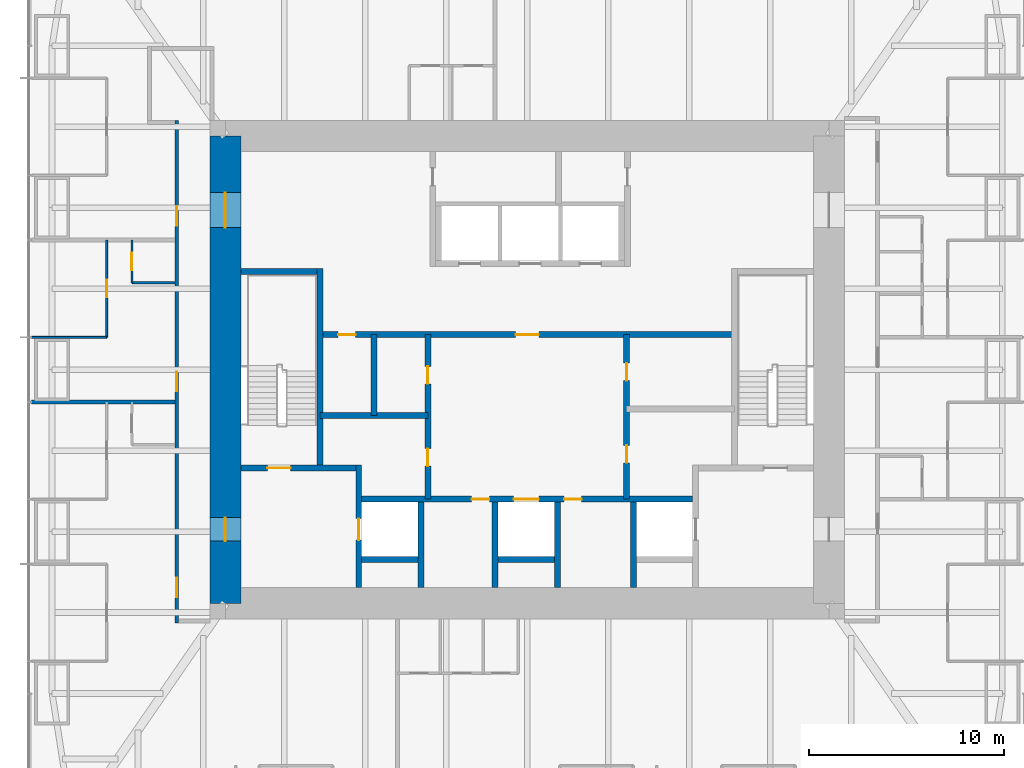
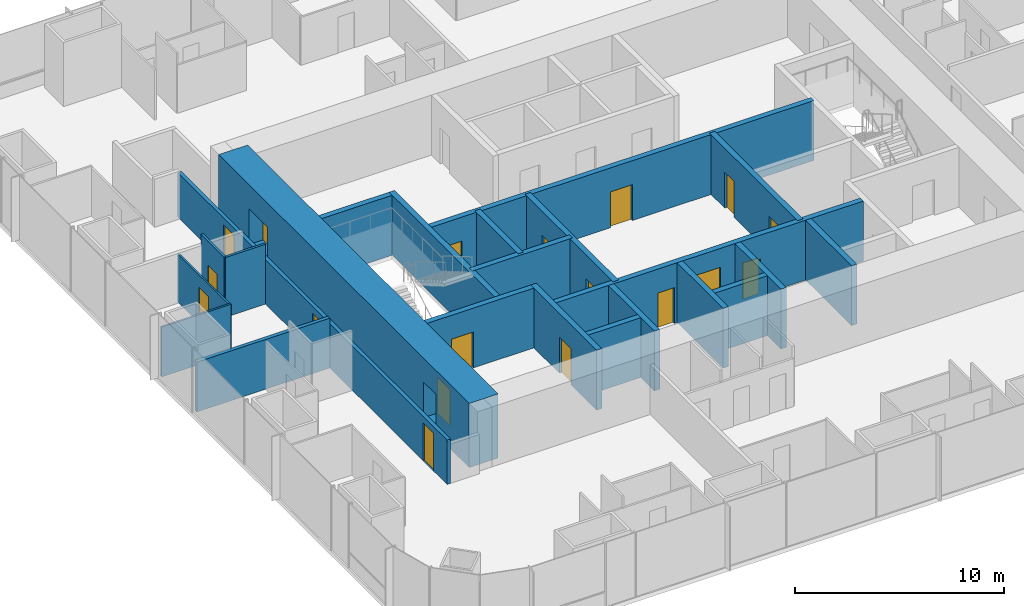
# One storey, part 9 of 13: 23 walls, 18 doors, 18 openings.
"""IFC4 building model written with IfcOpenShell, lengths in metres."""

import ifcopenshell
import ifcopenshell.guid

model = None  # the IFC model being written
_history = None  # IfcOwnerHistory: only IFC2X3 demands one
_inside = {}  # id of a spatial element -> (the spatial element, [elements in it])
_under = {}  # id of a project, library or spatial element -> (it, [spatial elements below it])
_declared = {}  # id of a project -> (the project, [libraries it declares])
_typed = {}  # id of a type object -> (the type object, [elements of that type])
_made_of = {}  # id of a material, layer set ... -> (it, [elements and type objects made of it])


def new_model(schema):
    """Start an empty IFC model of exactly this schema.

    Asked for "IFC4X3", IfcOpenShell would pick the latest addendum, in which some entities
    have other attributes; the version numbers below select the first issue.
    IFC2X3 requires an IfcOwnerHistory on every rooted entity: one is made here for all.
    """
    global model, _history
    if schema == "IFC4X3":
        model = ifcopenshell.file(schema_version=(4, 3, 0, 0))
    else:
        model = ifcopenshell.file(schema=schema)
    _inside.clear()
    _under.clear()
    _declared.clear()
    _typed.clear()
    _made_of.clear()
    _history = None
    if model.schema == "IFC2X3":
        org = make("IfcOrganization", Name="unknown")
        user = make(
            "IfcPersonAndOrganization",
            ThePerson=make("IfcPerson", FamilyName="unknown"),
            TheOrganization=org,
        )
        app = make(
            "IfcApplication",
            ApplicationDeveloper=org,
            Version="unknown",
            ApplicationFullName="unknown",
            ApplicationIdentifier="unknown",
        )
        _history = make(
            "IfcOwnerHistory",
            OwningUser=user,
            OwningApplication=app,
            ChangeAction="ADDED",
            CreationDate=0,
        )
    return model


def make(cls, **values):
    """One entity of the class cls with the attributes given. An attribute that is None is left unset."""
    return model.create_entity(
        cls, **{name: value for name, value in values.items() if value is not None}
    )


def rooted(cls, **values):
    """An entity with a GlobalId (a new one), such as an element, a storey or a relation."""
    return make(cls, GlobalId=ifcopenshell.guid.new(), OwnerHistory=_history, **values)


def si_unit(unit_type, name, prefix=None):
    """IfcSIUnit, for example si_unit("LENGTHUNIT", "METRE", prefix="MILLI")."""
    return make("IfcSIUnit", UnitType=unit_type, Prefix=prefix, Name=name)


def assignment(units):
    """IfcUnitAssignment: the units of a project."""
    return None if units is None else make("IfcUnitAssignment", Units=units)


def point(xyz):
    """IfcCartesianPoint."""
    return None if xyz is None else make("IfcCartesianPoint", Coordinates=xyz)


def direction(xyz):
    """IfcDirection."""
    return None if xyz is None else make("IfcDirection", DirectionRatios=xyz)


def frame(location, z_axis=None, x_axis=None):
    """IfcAxis2Placement3D, a coordinate frame: its origin and axes. An axis left out is left unset."""
    return make(
        "IfcAxis2Placement3D",
        Location=point(location),
        Axis=direction(z_axis),
        RefDirection=direction(x_axis),
    )


def frame_2d(location, x_axis=None):
    """IfcAxis2Placement2D, a coordinate frame in the plane: its origin and x axis."""
    return make(
        "IfcAxis2Placement2D", Location=point(location), RefDirection=direction(x_axis)
    )


def origin():
    """The frame at (0, 0, 0) with its axes left unset."""
    return frame((0.0, 0.0, 0.0))


def place(relative_to, where):
    """IfcLocalPlacement: puts the frame where relative to a parent placement (None: the world)."""
    return make(
        "IfcLocalPlacement", PlacementRelTo=relative_to, RelativePlacement=where
    )


def context(
    kind, dimensions, precision=None, world=None, true_north=None, identifier=None
):
    """IfcGeometricRepresentationContext, for example the 3D "Model" context."""
    return make(
        "IfcGeometricRepresentationContext",
        ContextIdentifier=identifier,
        ContextType=kind,
        CoordinateSpaceDimension=dimensions,
        Precision=precision,
        WorldCoordinateSystem=world,
        TrueNorth=true_north,
    )


def subcontext(parent, identifier, kind, view, scale=None):
    """IfcGeometricRepresentationSubContext, for example "Body" below "Model"."""
    return make(
        "IfcGeometricRepresentationSubContext",
        ContextIdentifier=identifier,
        ContextType=kind,
        ParentContext=parent,
        TargetScale=scale,
        TargetView=view,
    )


def project(units=None, contexts=None):
    """IfcProject with its units and contexts."""
    return rooted(
        "IfcProject",
        Name="project",
        RepresentationContexts=contexts,
        UnitsInContext=assignment(units),
    )


def spatial(cls, under=None, at=None, **own):
    """A site, building, storey or space (cls), placed at a placement, below another one or the project."""
    s = rooted(cls, ObjectPlacement=at, **own)
    if under is not None:
        _under.setdefault(under.id(), (under, []))[1].append(s)
    return s


def profile(cls, at=None, kind="AREA", **sizes):
    """A parametric profile (cls). Its sizes go by their IFC names, for example OverallWidth=200.0."""
    return make(cls, ProfileType=kind, Position=at, **sizes)


def rectangle(**sizes):
    """IfcRectangleProfileDef."""
    return profile("IfcRectangleProfileDef", **sizes)


def extrude(swept, where, along, depth):
    """IfcExtrudedAreaSolid: the profile swept, set in the frame where, extruded along a direction by depth."""
    return make(
        "IfcExtrudedAreaSolid",
        SweptArea=swept,
        Position=where,
        ExtrudedDirection=direction(along),
        Depth=depth,
    )


def shape(context_of_items, identifier, shape_type, items):
    """IfcShapeRepresentation: the items that make up one representation, for example the "Body"."""
    return make(
        "IfcShapeRepresentation",
        ContextOfItems=context_of_items,
        RepresentationIdentifier=identifier,
        RepresentationType=shape_type,
        Items=items,
    )


def material(Name=None, Category=None):
    """IfcMaterial."""
    return make("IfcMaterial", Name=Name, Category=Category)


def layer(
    of_material, thickness, ventilated=None, Name=None, Category=None, Priority=None
):
    """IfcMaterialLayer: one layer of a wall or slab, of a material (None: an air gap)."""
    return make(
        "IfcMaterialLayer",
        Material=of_material,
        LayerThickness=thickness,
        IsVentilated=ventilated,
        Name=Name,
        Category=Category,
        Priority=Priority,
    )


def layer_set(layers, Name=None):
    """IfcMaterialLayerSet."""
    return make("IfcMaterialLayerSet", MaterialLayers=layers, LayerSetName=Name)


def made_of(thing, what):
    """Note that an element or type object is made of a material, layer set ...; save() writes the relation."""
    if what is not None:
        _made_of.setdefault(what.id(), (what, []))[1].append(thing)
    return thing


def type_object(cls, material=None, **own):
    """A type object (cls), such as IfcWallType, which elements share."""
    return made_of(rooted(cls, **own), material)


def element(
    cls,
    number,
    at=None,
    inside=None,
    cuts=None,
    type_object=None,
    material=None,
    context=None,
    identifier="Body",
    shape_type=None,
    held_by="IfcProductDefinitionShape",
    body=None,
    shapes=None,
    **own,
):
    """One element of the class cls, such as IfcWall. Its Tag is "e" and its number.

    at: its placement. inside: the storey or other place that contains it. cuts: it is an
    opening in that element (IfcRelVoidsElement). A single representation is given by context,
    identifier, shape_type and body (its items); several are given by shapes. held_by: the class
    of the entity that holds the representations. save() writes the other relations.
    """
    e = rooted(cls, Tag="e%d" % number, ObjectPlacement=at, **own)
    if body is not None:
        shapes = [shape(context, identifier, shape_type, body)]
    if shapes is not None:
        e.Representation = make(held_by, Representations=shapes)
    if inside is not None:
        _inside.setdefault(inside.id(), (inside, []))[1].append(e)
    if cuts is not None:
        rooted(
            "IfcRelVoidsElement", RelatingBuildingElement=cuts, RelatedOpeningElement=e
        )
    if type_object is not None:
        _typed.setdefault(type_object.id(), (type_object, []))[1].append(e)
    return made_of(e, material)


def fill(opening, filler):
    """IfcRelFillsElement: the door or window that sits in an opening."""
    return rooted(
        "IfcRelFillsElement",
        RelatingOpeningElement=opening,
        RelatedBuildingElement=filler,
    )


def aggregate(whole, parts):
    """IfcRelAggregates: a whole, such as a stair, and the parts it consists of."""
    return rooted("IfcRelAggregates", RelatingObject=whole, RelatedObjects=parts)


def save(model, path):
    """Write the relations noted so far, then the file.

    IfcRelAggregates (storeys below a building ...), IfcRelContainedInSpatialStructure (elements
    in a storey), IfcRelDefinesByType, IfcRelAssociatesMaterial and IfcRelDeclares: one each for
    every whole, place, type object, material and project.
    """
    for whole, parts in _under.values():
        aggregate(whole, parts)
    for where, things in _inside.values():
        rooted(
            "IfcRelContainedInSpatialStructure",
            RelatedElements=things,
            RelatingStructure=where,
        )
    for kind, things in _typed.values():
        rooted("IfcRelDefinesByType", RelatedObjects=things, RelatingType=kind)
    for what, things in _made_of.values():
        rooted("IfcRelAssociatesMaterial", RelatedObjects=things, RelatingMaterial=what)
    for by, libraries in _declared.values():
        rooted("IfcRelDeclares", RelatingContext=by, RelatedDefinitions=libraries)
    model.write(path)


model = new_model("IFC4")

# Units and contexts
model_context = context("Model", 3, precision=1e-05, world=origin(), true_north=direction((0.0, 1.0)))
body_context = subcontext(model_context, "Body", "Model", "MODEL_VIEW")
ifc_project = project(units=[si_unit("LENGTHUNIT", "METRE"), si_unit("AREAUNIT", "SQUARE_METRE"), si_unit("VOLUMEUNIT", "CUBIC_METRE"), si_unit("PLANEANGLEUNIT", "RADIAN"), si_unit("MASSUNIT", "GRAM", prefix="KILO")], contexts=[model_context])

# Site, building, storey
site_placement = place(None, origin())
site = spatial("IfcSite", under=ifc_project, at=site_placement, CompositionType="ELEMENT")
building_placement = place(site_placement, origin())
building = spatial("IfcBuilding", under=site, at=building_placement, Name="Khuree Lantern Residences", CompositionType="ELEMENT")
storey_placement = place(building_placement, frame((0.0, 0.0, 263.25)))
storey = spatial("IfcBuildingStorey", under=building, at=storey_placement, Name="L66", CompositionType="ELEMENT", Elevation=263.25)

# Wall, opening, door
ifc_material_1 = material(Name="Moisture-resistant gypsum board on steel studs", Category="steel")
ifc_layer_1 = layer(ifc_material_1, 0.125)
ifc_layer_set_1 = layer_set([ifc_layer_1], Name="BATHROOM WALL BTW125")
wall_type_1 = type_object("IfcWallType", Name="BATHROOM WALL BTW125", PredefinedType="PARTITIONING", material=ifc_layer_set_1)
wall_1_placement = place(storey_placement, frame((-20.300048828125, 6.656005859375, 0.0), z_axis=(0.0, 0.0, 1.0), x_axis=(0.0, -1.0, 0.0)))
wall_1 = element("IfcWall", 1, at=wall_1_placement, inside=storey, type_object=wall_type_1, Name="L66 BATHROOM WALL 04", PredefinedType="PARTITIONING", context=body_context, shape_type="SweptSolid", body=[
    extrude(rectangle(XDim=2.199951171875, YDim=0.125, at=frame_2d((1.10009765625, 0.0))), origin(), (0.0, 0.0, 1.0), 3.5),
])
opening_1_placement = place(wall_1_placement, frame((0.64990234375, 0.0, 0.0)))
opening_1 = element("IfcOpeningElement", 2, at=opening_1_placement, cuts=wall_1, Name="Opening 66-044", PredefinedType="OPENING", context=body_context, shape_type="SweptSolid", body=[
    extrude(rectangle(XDim=0.89990234375, YDim=2.10009765625, at=frame_2d((0.449951171875, 1.050048828125))), frame((0.0, 0.072509765625, 0.0), z_axis=(0.0, -1.0, 0.0), x_axis=(1.0, 0.0, 0.0)), (0.0, 0.0, 1.0), 0.14501953125),
])
ifc_material_2 = material(Name="Timber door leaf in hardwood frame", Category="wood")
door_type_1 = type_object("IfcDoorType", Name="BATHROOM DOOR 900X2100", OperationType="SINGLE_SWING_LEFT", PredefinedType="DOOR", material=ifc_material_2)
door_1_placement = place(opening_1_placement, origin())
door_1 = element("IfcDoor", 3, at=door_1_placement, inside=storey, type_object=door_type_1, Name="Bathroom door 66-044", OperationType="SINGLE_SWING_LEFT", OverallHeight=2.10009765625, OverallWidth=0.89990234375, PredefinedType="DOOR", context=body_context, shape_type="SweptSolid", body=[
    extrude(rectangle(XDim=0.89990234375, YDim=2.10009765625, at=frame_2d((0.449951171875, 1.050048828125))), frame((0.0, 0.02490234375, 0.0), z_axis=(0.0, -1.0, 0.0), x_axis=(1.0, 0.0, 0.0)), (0.0, 0.0, 1.0), 0.050048828125),
])
fill(opening_1, door_1)

# Wall
wall_2_placement = place(storey_placement, frame((-18.10009765625, 4.4560546875, 0.0), z_axis=(0.0, 0.0, 1.0), x_axis=(-1.0, 0.0, 0.0)))
element("IfcWall", 4, at=wall_2_placement, inside=storey, type_object=wall_type_1, Name="L66 BATHROOM WALL 04", PredefinedType="PARTITIONING", context=body_context, shape_type="SweptSolid", body=[
    extrude(rectangle(XDim=2.199951171875, YDim=0.125, at=frame_2d((1.10009765625, 0.0))), origin(), (0.0, 0.0, 1.0), 3.5),
])

# Wall, opening, door
ifc_material_3 = material(Name="Dense concrete blockwork", Category="masonry")
ifc_layer_2 = layer(ifc_material_3, 0.300048828125)
ifc_layer_set_2 = layer_set([ifc_layer_2], Name="CORE PARTITION WALL CPW300 EI 120")
wall_type_2 = type_object("IfcWallType", Name="CORE PARTITION WALL CPW300 EI 120", PredefinedType="PARTITIONING", material=ifc_layer_set_2)
wall_3_placement = place(storey_placement, frame((-8.64990234375, -11.199951171875, 0.0), z_axis=(0.0, 0.0, 1.0), x_axis=(0.0, 1.0, 0.0)))
wall_3 = element("IfcWall", 5, at=wall_3_placement, inside=storey, type_object=wall_type_2, Name="L66 CORE WALL FL1W", PredefinedType="PARTITIONING", context=body_context, shape_type="SweptSolid", body=[
    extrude(rectangle(XDim=6.300048828125, YDim=0.300048828125, at=frame_2d((3.14990234375, 0.0))), origin(), (0.0, 0.0, 1.0), 3.5),
])
opening_2_placement = place(wall_3_placement, frame((2.449951171875, 0.0, 0.0)))
opening_2 = element("IfcOpeningElement", 6, at=opening_2_placement, cuts=wall_3, Name="Opening 66-007", PredefinedType="OPENING", context=body_context, shape_type="SweptSolid", body=[
    extrude(rectangle(XDim=1.10009765625, YDim=2.10009765625, at=frame_2d((0.550048828125, 1.050048828125))), frame((0.0, 0.16015625, 0.0), z_axis=(0.0, -1.0, 0.0), x_axis=(1.0, 0.0, 0.0)), (0.0, 0.0, 1.0), 0.320068359375),
])
ifc_material_4 = material(Name="Stainless steel lift landing door", Category="steel")
door_type_2 = type_object("IfcDoorType", Name="LIFT LANDING DOOR 1100X2100 E 120", OperationType="DOUBLE_DOOR_SLIDING", PredefinedType="DOOR", material=ifc_material_4)
door_2_placement = place(opening_2_placement, origin())
door_2 = element("IfcDoor", 7, at=door_2_placement, inside=storey, type_object=door_type_2, Name="Landing door FL1 66-007", OperationType="DOUBLE_DOOR_SLIDING", OverallHeight=2.10009765625, OverallWidth=1.10009765625, PredefinedType="DOOR", context=body_context, shape_type="SweptSolid", body=[
    extrude(rectangle(XDim=1.10009765625, YDim=2.10009765625, at=frame_2d((0.550048828125, 1.050048828125))), frame((0.0, 0.02490234375, 0.0), z_axis=(0.0, -1.0, 0.0), x_axis=(1.0, 0.0, 0.0)), (0.0, 0.0, 1.0), 0.050048828125),
])
fill(opening_2, door_2)

# Wall, openings, doors
wall_4_placement = place(storey_placement, frame((-8.5, -6.64990234375, 0.0), z_axis=(0.0, 0.0, 1.0), x_axis=(1.0, 0.0, 0.0)))
wall_4 = element("IfcWall", 8, at=wall_4_placement, inside=storey, type_object=wall_type_2, Name="L66 CORE WALL FLROW", PredefinedType="PARTITIONING", context=body_context, shape_type="SweptSolid", body=[
    extrude(rectangle(XDim=17.0, YDim=0.300048828125, at=frame_2d((8.5, 0.0))), origin(), (0.0, 0.0, 1.0), 3.5),
])
opening_3_placement = place(wall_4_placement, frame((7.800048828125, 0.0, 0.0)))
opening_3 = element("IfcOpeningElement", 9, at=opening_3_placement, cuts=wall_4, Name="Opening 66-012", PredefinedType="OPENING", context=body_context, shape_type="SweptSolid", body=[
    extrude(rectangle(XDim=1.300048828125, YDim=2.39990234375, at=frame_2d((0.64990234375, 1.199951171875))), frame((0.0, 0.16015625, 0.0), z_axis=(0.0, -1.0, 0.0), x_axis=(1.0, 0.0, 0.0)), (0.0, 0.0, 1.0), 0.320068359375),
])
opening_4_placement = place(wall_4_placement, frame((5.64990234375, 0.0, 0.0)))
opening_4 = element("IfcOpeningElement", 10, at=opening_4_placement, cuts=wall_4, Name="Opening 66-014", PredefinedType="OPENING", context=body_context, shape_type="SweptSolid", body=[
    extrude(rectangle(XDim=0.89990234375, YDim=2.10009765625, at=frame_2d((0.449951171875, 1.050048828125))), frame((0.0, 0.16015625, 0.0), z_axis=(0.0, -1.0, 0.0), x_axis=(1.0, 0.0, 0.0)), (0.0, 0.0, 1.0), 0.320068359375),
])
opening_5_placement = place(wall_4_placement, frame((10.39990234375, 0.0, 0.0)))
opening_5 = element("IfcOpeningElement", 11, at=opening_5_placement, cuts=wall_4, Name="Opening 66-015", PredefinedType="OPENING", context=body_context, shape_type="SweptSolid", body=[
    extrude(rectangle(XDim=0.89990234375, YDim=2.10009765625, at=frame_2d((0.449951171875, 1.050048828125))), frame((0.0, 0.16015625, 0.0), z_axis=(0.0, -1.0, 0.0), x_axis=(1.0, 0.0, 0.0)), (0.0, 0.0, 1.0), 0.320068359375),
])
ifc_material_5 = material(Name="Steel door leaf in steel frame", Category="steel")
door_type_3 = type_object("IfcDoorType", Name="DOOR 900X2100 EI 60", OperationType="SINGLE_SWING_LEFT", PredefinedType="DOOR", material=ifc_material_5)
door_3_placement = place(opening_4_placement, origin())
door_3 = element("IfcDoor", 12, at=door_3_placement, inside=storey, type_object=door_type_3, Name="Refuse chute room door 66-014", OperationType="SINGLE_SWING_LEFT", OverallHeight=2.10009765625, OverallWidth=0.89990234375, PredefinedType="DOOR", context=body_context, shape_type="SweptSolid", body=[
    extrude(rectangle(XDim=0.89990234375, YDim=2.10009765625, at=frame_2d((0.449951171875, 1.050048828125))), frame((0.0, 0.02490234375, 0.0), z_axis=(0.0, -1.0, 0.0), x_axis=(1.0, 0.0, 0.0)), (0.0, 0.0, 1.0), 0.050048828125),
])
fill(opening_4, door_3)
door_type_4 = type_object("IfcDoorType", Name="DOOR 900X2100 EI 60 RIGHT HAND", OperationType="SINGLE_SWING_RIGHT", PredefinedType="DOOR", material=ifc_material_5)
door_4_placement = place(opening_5_placement, origin())
door_4 = element("IfcDoor", 13, at=door_4_placement, inside=storey, type_object=door_type_4, Name="Electrical and plumbing riser door 66-015", OperationType="SINGLE_SWING_RIGHT", OverallHeight=2.10009765625, OverallWidth=0.89990234375, PredefinedType="DOOR", context=body_context, shape_type="SweptSolid", body=[
    extrude(rectangle(XDim=0.89990234375, YDim=2.10009765625, at=frame_2d((0.449951171875, 1.050048828125))), frame((0.0, 0.02490234375, 0.0), z_axis=(0.0, -1.0, 0.0), x_axis=(1.0, 0.0, 0.0)), (0.0, 0.0, 1.0), 0.050048828125),
])
fill(opening_5, door_4)
door_type_5 = type_object("IfcDoorType", Name="LIFT LANDING DOOR 1300X2400 E 60", OperationType="DOUBLE_DOOR_SLIDING", PredefinedType="DOOR", material=ifc_material_4)
door_5_placement = place(opening_3_placement, origin())
door_5 = element("IfcDoor", 14, at=door_5_placement, inside=storey, type_object=door_type_5, Name="Landing door SL1 66-012", OperationType="DOUBLE_DOOR_SLIDING", OverallHeight=2.39990234375, OverallWidth=1.300048828125, PredefinedType="DOOR", context=body_context, shape_type="SweptSolid", body=[
    extrude(rectangle(XDim=1.300048828125, YDim=2.39990234375, at=frame_2d((0.64990234375, 1.199951171875))), frame((0.0, 0.02490234375, 0.0), z_axis=(0.0, -1.0, 0.0), x_axis=(1.0, 0.0, 0.0)), (0.0, 0.0, 1.0), 0.050048828125),
])
fill(opening_3, door_5)

# Walls
for number, where, z_axis, x_axis, name in (
    (15, (-5.449951171875, -11.199951171875, 0.0), (0.0, 0.0, 1.0), (0.0, 1.0, 0.0), "L66 CORE WALL FL1E"),
    (16, (-1.64990234375, -11.199951171875, 0.0), (0.0, 0.0, 1.0), (0.0, 1.0, 0.0), "L66 CORE WALL SL1W"),
    (17, (1.550048828125, -11.199951171875, 0.0), (0.0, 0.0, 1.0), (0.0, 1.0, 0.0), "L66 CORE WALL SL1E"),
    (18, (5.449951171875, -11.199951171875, 0.0), (0.0, 0.0, 1.0), (0.0, 1.0, 0.0), "L66 CORE WALL FL2W"),
):
    element("IfcWall", number, at=place(storey_placement, frame(where, z_axis=z_axis, x_axis=x_axis)), inside=storey, type_object=wall_type_2, Name=name, PredefinedType="PARTITIONING", context=body_context, shape_type="SweptSolid", body=[
        extrude(rectangle(XDim=4.39990234375, YDim=0.300048828125, at=frame_2d((2.199951171875, 0.0))), origin(), (0.0, 0.0, 1.0), 3.5),
    ])
for number, where, z_axis, x_axis, name in (
    (19, (-8.5, -9.75, 0.0), (0.0, 0.0, 1.0), (1.0, 0.0, 0.0), "L66 CORE WALL FL1S"),
    (20, (-1.5, -9.75, 0.0), (0.0, 0.0, 1.0), (1.0, 0.0, 0.0), "L66 CORE WALL SL1S"),
):
    element("IfcWall", number, at=place(storey_placement, frame(where, z_axis=z_axis, x_axis=x_axis)), inside=storey, type_object=wall_type_2, Name=name, PredefinedType="PARTITIONING", context=body_context, shape_type="SweptSolid", body=[
        extrude(rectangle(XDim=2.89990234375, YDim=0.300048828125, at=frame_2d((1.449951171875, 0.0))), origin(), (0.0, 0.0, 1.0), 3.5),
    ])

# Wall, openings, doors
wall_5_placement = place(storey_placement, frame((-10.64990234375, 1.800048828125, 0.0), z_axis=(0.0, 0.0, 1.0), x_axis=(1.0, 0.0, 0.0)))
wall_5 = element("IfcWall", 21, at=wall_5_placement, inside=storey, type_object=wall_type_2, Name="L66 CORE WALL LLS", PredefinedType="PARTITIONING", context=body_context, shape_type="SweptSolid", body=[
    extrude(rectangle(XDim=21.2998046875, YDim=0.300048828125, at=frame_2d((10.64990234375, 0.0))), origin(), (0.0, 0.0, 1.0), 3.5),
])
opening_6_placement = place(wall_5_placement, frame((10.050048828125, 0.0, 0.0)))
opening_6 = element("IfcOpeningElement", 22, at=opening_6_placement, cuts=wall_5, Name="Opening 66-013", PredefinedType="OPENING", context=body_context, shape_type="SweptSolid", body=[
    extrude(rectangle(XDim=1.199951171875, YDim=2.10009765625, at=frame_2d((0.60009765625, 1.050048828125))), frame((0.0, 0.16015625, 0.0), z_axis=(0.0, -1.0, 0.0), x_axis=(1.0, 0.0, 0.0)), (0.0, 0.0, 1.0), 0.320068359375),
])
opening_7_placement = place(wall_5_placement, frame((0.93798828125, 0.0, 0.0)))
opening_7 = element("IfcOpeningElement", 23, at=opening_7_placement, cuts=wall_5, Name="Opening 66-018", PredefinedType="OPENING", context=body_context, shape_type="SweptSolid", body=[
    extrude(rectangle(XDim=0.89990234375, YDim=2.10009765625, at=frame_2d((0.449951171875, 1.050048828125))), frame((0.0, 0.16015625, 0.0), z_axis=(0.0, -1.0, 0.0), x_axis=(1.0, 0.0, 0.0)), (0.0, 0.0, 1.0), 0.320068359375),
])
door_type_6 = type_object("IfcDoorType", Name="DOOR 1200X2100 EI 60", OperationType="SINGLE_SWING_LEFT", PredefinedType="DOOR", material=ifc_material_5)
door_6_placement = place(opening_6_placement, origin())
door_6 = element("IfcDoor", 24, at=door_6_placement, inside=storey, type_object=door_type_6, Name="Service lift lobby door 66-013", OperationType="SINGLE_SWING_LEFT", OverallHeight=2.10009765625, OverallWidth=1.199951171875, PredefinedType="DOOR", context=body_context, shape_type="SweptSolid", body=[
    extrude(rectangle(XDim=1.199951171875, YDim=2.10009765625, at=frame_2d((0.60009765625, 1.050048828125))), frame((0.0, 0.02490234375, 0.0), z_axis=(0.0, -1.0, 0.0), x_axis=(1.0, 0.0, 0.0)), (0.0, 0.0, 1.0), 0.050048828125),
])
fill(opening_6, door_6)
door_type_7 = type_object("IfcDoorType", Name="DOOR 900X2100", OperationType="SINGLE_SWING_LEFT", PredefinedType="DOOR", material=ifc_material_2)
door_7_placement = place(opening_7_placement, origin())
door_7 = element("IfcDoor", 25, at=door_7_placement, inside=storey, type_object=door_type_7, Name="Building management room door 66-018", OperationType="SINGLE_SWING_LEFT", OverallHeight=2.10009765625, OverallWidth=0.89990234375, PredefinedType="DOOR", context=body_context, shape_type="SweptSolid", body=[
    extrude(rectangle(XDim=0.89990234375, YDim=2.10009765625, at=frame_2d((0.449951171875, 1.050048828125))), frame((0.0, 0.02490234375, 0.0), z_axis=(0.0, -1.0, 0.0), x_axis=(1.0, 0.0, 0.0)), (0.0, 0.0, 1.0), 0.050048828125),
])
fill(opening_7, door_7)

wall_6_placement = place(storey_placement, frame((-5.10009765625, -6.64990234375, 0.0), z_axis=(0.0, 0.0, 1.0), x_axis=(0.0, 1.0, 0.0)))
wall_6 = element("IfcWall", 26, at=wall_6_placement, inside=storey, type_object=wall_type_2, Name="L66 CORE WALL SVW", PredefinedType="PARTITIONING", context=body_context, shape_type="SweptSolid", body=[
    extrude(rectangle(XDim=8.449951171875, YDim=0.300048828125, at=frame_2d((4.22509765625, 0.0))), origin(), (0.0, 0.0, 1.0), 3.5),
])
opening_8_placement = place(wall_6_placement, frame((1.699951171875, 0.0, 0.0)))
opening_8 = element("IfcOpeningElement", 27, at=opening_8_placement, cuts=wall_6, Name="Opening 66-016", PredefinedType="OPENING", context=body_context, shape_type="SweptSolid", body=[
    extrude(rectangle(XDim=0.89990234375, YDim=2.10009765625, at=frame_2d((0.449951171875, 1.050048828125))), frame((0.0, 0.16015625, 0.0), z_axis=(0.0, -1.0, 0.0), x_axis=(1.0, 0.0, 0.0)), (0.0, 0.0, 1.0), 0.320068359375),
])
opening_9_placement = place(wall_6_placement, frame((5.925048828125, 0.0, 0.0)))
opening_9 = element("IfcOpeningElement", 28, at=opening_9_placement, cuts=wall_6, Name="Opening 66-017", PredefinedType="OPENING", context=body_context, shape_type="SweptSolid", body=[
    extrude(rectangle(XDim=0.89990234375, YDim=2.10009765625, at=frame_2d((0.449951171875, 1.050048828125))), frame((0.0, 0.16015625, 0.0), z_axis=(0.0, -1.0, 0.0), x_axis=(1.0, 0.0, 0.0)), (0.0, 0.0, 1.0), 0.320068359375),
])
door_8_placement = place(opening_8_placement, origin())
door_8 = element("IfcDoor", 29, at=door_8_placement, inside=storey, type_object=door_type_7, Name="Parcel room door 66-016", OperationType="SINGLE_SWING_LEFT", OverallHeight=2.10009765625, OverallWidth=0.89990234375, PredefinedType="DOOR", context=body_context, shape_type="SweptSolid", body=[
    extrude(rectangle(XDim=0.89990234375, YDim=2.10009765625, at=frame_2d((0.449951171875, 1.050048828125))), frame((0.0, 0.02490234375, 0.0), z_axis=(0.0, -1.0, 0.0), x_axis=(1.0, 0.0, 0.0)), (0.0, 0.0, 1.0), 0.050048828125),
])
fill(opening_8, door_8)
door_9_placement = place(opening_9_placement, origin())
door_9 = element("IfcDoor", 30, at=door_9_placement, inside=storey, type_object=door_type_7, Name="Housekeeping store door 66-017", OperationType="SINGLE_SWING_LEFT", OverallHeight=2.10009765625, OverallWidth=0.89990234375, PredefinedType="DOOR", context=body_context, shape_type="SweptSolid", body=[
    extrude(rectangle(XDim=0.89990234375, YDim=2.10009765625, at=frame_2d((0.449951171875, 1.050048828125))), frame((0.0, 0.02490234375, 0.0), z_axis=(0.0, -1.0, 0.0), x_axis=(1.0, 0.0, 0.0)), (0.0, 0.0, 1.0), 0.050048828125),
])
fill(opening_9, door_9)

wall_7_placement = place(storey_placement, frame((5.10009765625, -6.64990234375, 0.0), z_axis=(0.0, 0.0, 1.0), x_axis=(0.0, 1.0, 0.0)))
wall_7 = element("IfcWall", 31, at=wall_7_placement, inside=storey, type_object=wall_type_2, Name="L66 CORE WALL SVE", PredefinedType="PARTITIONING", context=body_context, shape_type="SweptSolid", body=[
    extrude(rectangle(XDim=8.449951171875, YDim=0.300048828125, at=frame_2d((4.22509765625, 0.0))), origin(), (0.0, 0.0, 1.0), 3.5),
])
opening_10_placement = place(wall_7_placement, frame((1.865966796875, 0.0, 0.0)))
opening_10 = element("IfcOpeningElement", 32, at=opening_10_placement, cuts=wall_7, Name="Opening 66-019", PredefinedType="OPENING", context=body_context, shape_type="SweptSolid", body=[
    extrude(rectangle(XDim=0.89990234375, YDim=2.10009765625, at=frame_2d((0.449951171875, 1.050048828125))), frame((0.0, 0.16015625, 0.0), z_axis=(0.0, -1.0, 0.0), x_axis=(1.0, 0.0, 0.0)), (0.0, 0.0, 1.0), 0.320068359375),
])
opening_11_placement = place(wall_7_placement, frame((6.091064453125, 0.0, 0.0)))
opening_11 = element("IfcOpeningElement", 33, at=opening_11_placement, cuts=wall_7, Name="Opening 66-020", PredefinedType="OPENING", context=body_context, shape_type="SweptSolid", body=[
    extrude(rectangle(XDim=0.89990234375, YDim=2.10009765625, at=frame_2d((0.449951171875, 1.050048828125))), frame((0.0, 0.16015625, 0.0), z_axis=(0.0, -1.0, 0.0), x_axis=(1.0, 0.0, 0.0)), (0.0, 0.0, 1.0), 0.320068359375),
])
door_10_placement = place(opening_10_placement, origin())
door_10 = element("IfcDoor", 34, at=door_10_placement, inside=storey, type_object=door_type_7, Name="Bulky waste store door 66-019", OperationType="SINGLE_SWING_LEFT", OverallHeight=2.10009765625, OverallWidth=0.89990234375, PredefinedType="DOOR", context=body_context, shape_type="SweptSolid", body=[
    extrude(rectangle(XDim=0.89990234375, YDim=2.10009765625, at=frame_2d((0.449951171875, 1.050048828125))), frame((0.0, 0.02490234375, 0.0), z_axis=(0.0, -1.0, 0.0), x_axis=(1.0, 0.0, 0.0)), (0.0, 0.0, 1.0), 0.050048828125),
])
fill(opening_10, door_10)
door_type_8 = type_object("IfcDoorType", Name="DOOR 900X2100 RIGHT HAND", OperationType="SINGLE_SWING_RIGHT", PredefinedType="DOOR", material=ifc_material_2)
door_11_placement = place(opening_11_placement, origin())
door_11 = element("IfcDoor", 35, at=door_11_placement, inside=storey, type_object=door_type_8, Name="Parcel room door 66-020", OperationType="SINGLE_SWING_RIGHT", OverallHeight=2.10009765625, OverallWidth=0.89990234375, PredefinedType="DOOR", context=body_context, shape_type="SweptSolid", body=[
    extrude(rectangle(XDim=0.89990234375, YDim=2.10009765625, at=frame_2d((0.449951171875, 1.050048828125))), frame((0.0, 0.02490234375, 0.0), z_axis=(0.0, -1.0, 0.0), x_axis=(1.0, 0.0, 0.0)), (0.0, 0.0, 1.0), 0.050048828125),
])
fill(opening_11, door_11)

# Walls
wall_8_placement = place(storey_placement, frame((-10.64990234375, -2.35009765625, 0.0), z_axis=(0.0, 0.0, 1.0), x_axis=(1.0, 0.0, 0.0)))
element("IfcWall", 36, at=wall_8_placement, inside=storey, type_object=wall_type_2, Name="L66 CORE WALL WX", PredefinedType="PARTITIONING", context=body_context, shape_type="SweptSolid", body=[
    extrude(rectangle(XDim=5.5498046875, YDim=0.300048828125, at=frame_2d((2.77490234375, 0.0))), origin(), (0.0, 0.0, 1.0), 3.5),
])
wall_9_placement = place(storey_placement, frame((-7.875, -2.35009765625, 0.0), z_axis=(0.0, 0.0, 1.0), x_axis=(0.0, 1.0, 0.0)))
element("IfcWall", 37, at=wall_9_placement, inside=storey, type_object=wall_type_2, Name="L66 CORE WALL WV", PredefinedType="PARTITIONING", context=body_context, shape_type="SweptSolid", body=[
    extrude(rectangle(XDim=4.150146484375, YDim=0.300048828125, at=frame_2d((2.0751953125, 0.0))), origin(), (0.0, 0.0, 1.0), 3.5),
])

# Wall, openings, doors
ifc_material_6 = material(Name="Gypsum board on steel studs", Category="steel")
ifc_layer_3 = layer(ifc_material_6, 0.199951171875)
ifc_layer_set_3 = layer_set([ifc_layer_3], Name="CORRIDOR WALL CRW200 EI 60")
wall_type_3 = type_object("IfcWallType", Name="CORRIDOR WALL CRW200 EI 60", PredefinedType="PARTITIONING", material=ifc_layer_set_3)
wall_10_placement = place(storey_placement, frame((-18.0, 12.800048828125, 0.0), z_axis=(0.0, 0.0, 1.0), x_axis=(0.0, -1.0, 0.0)))
wall_10 = element("IfcWall", 38, at=wall_10_placement, inside=storey, type_object=wall_type_3, Name="L66 CORRIDOR WALL WEST 1", PredefinedType="PARTITIONING", context=body_context, shape_type="SweptSolid", body=[
    extrude(rectangle(XDim=25.800048828125, YDim=0.199951171875, at=frame_2d((12.89990234375, 0.0))), origin(), (0.0, 0.0, 1.0), 2.60009765625),
])
opening_12_placement = place(wall_10_placement, frame((4.39990234375, 0.0, 0.0)))
opening_12 = element("IfcOpeningElement", 39, at=opening_12_placement, cuts=wall_10, Name="Opening 66-042", PredefinedType="OPENING", context=body_context, shape_type="SweptSolid", body=[
    extrude(rectangle(XDim=1.0, YDim=2.199951171875, at=frame_2d((0.5, 1.10009765625))), frame((0.0, 0.10986328125, 0.0), z_axis=(0.0, -1.0, 0.0), x_axis=(1.0, 0.0, 0.0)), (0.0, 0.0, 1.0), 0.219970703125),
])
opening_13_placement = place(wall_10_placement, frame((12.9140625, 0.0, 0.0)))
opening_13 = element("IfcOpeningElement", 40, at=opening_13_placement, cuts=wall_10, Name="Opening 66-045", PredefinedType="OPENING", context=body_context, shape_type="SweptSolid", body=[
    extrude(rectangle(XDim=1.0, YDim=2.199951171875, at=frame_2d((0.5, 1.10009765625))), frame((0.0, 0.10986328125, 0.0), z_axis=(0.0, -1.0, 0.0), x_axis=(1.0, 0.0, 0.0)), (0.0, 0.0, 1.0), 0.219970703125),
])
opening_14_placement = place(wall_10_placement, frame((23.48388671875, 0.0, 0.0)))
opening_14 = element("IfcOpeningElement", 41, at=opening_14_placement, cuts=wall_10, Name="Opening 66-051", PredefinedType="OPENING", context=body_context, shape_type="SweptSolid", body=[
    extrude(rectangle(XDim=1.0, YDim=2.199951171875, at=frame_2d((0.5, 1.10009765625))), frame((0.0, 0.10986328125, 0.0), z_axis=(0.0, -1.0, 0.0), x_axis=(1.0, 0.0, 0.0)), (0.0, 0.0, 1.0), 0.219970703125),
])
door_type_9 = type_object("IfcDoorType", Name="APARTMENT ENTRANCE DOOR 1000X2200 EI 30S", OperationType="SINGLE_SWING_LEFT", PredefinedType="DOOR", material=ifc_material_2)
door_12_placement = place(opening_12_placement, origin())
door_12 = element("IfcDoor", 42, at=door_12_placement, inside=storey, type_object=door_type_9, Name="Apartment 03 entrance door 66-042", OperationType="SINGLE_SWING_LEFT", OverallHeight=2.199951171875, OverallWidth=1.0, PredefinedType="DOOR", context=body_context, shape_type="SweptSolid", body=[
    extrude(rectangle(XDim=1.0, YDim=2.199951171875, at=frame_2d((0.5, 1.10009765625))), frame((0.0, 0.02490234375, 0.0), z_axis=(0.0, -1.0, 0.0), x_axis=(1.0, 0.0, 0.0)), (0.0, 0.0, 1.0), 0.050048828125),
])
fill(opening_12, door_12)
door_13_placement = place(opening_13_placement, origin())
door_13 = element("IfcDoor", 43, at=door_13_placement, inside=storey, type_object=door_type_9, Name="Apartment 04 entrance door 66-045", OperationType="SINGLE_SWING_LEFT", OverallHeight=2.199951171875, OverallWidth=1.0, PredefinedType="DOOR", context=body_context, shape_type="SweptSolid", body=[
    extrude(rectangle(XDim=1.0, YDim=2.199951171875, at=frame_2d((0.5, 1.10009765625))), frame((0.0, 0.02490234375, 0.0), z_axis=(0.0, -1.0, 0.0), x_axis=(1.0, 0.0, 0.0)), (0.0, 0.0, 1.0), 0.050048828125),
])
fill(opening_13, door_13)
door_type_10 = type_object("IfcDoorType", Name="APARTMENT ENTRANCE DOOR 1000X2200 EI 30S RIGHT HAND", OperationType="SINGLE_SWING_RIGHT", PredefinedType="DOOR", material=ifc_material_2)
door_14_placement = place(opening_14_placement, origin())
door_14 = element("IfcDoor", 44, at=door_14_placement, inside=storey, type_object=door_type_10, Name="Apartment 05 entrance door 66-051", OperationType="SINGLE_SWING_RIGHT", OverallHeight=2.199951171875, OverallWidth=1.0, PredefinedType="DOOR", context=body_context, shape_type="SweptSolid", body=[
    extrude(rectangle(XDim=1.0, YDim=2.199951171875, at=frame_2d((0.5, 1.10009765625))), frame((0.0, 0.02490234375, 0.0), z_axis=(0.0, -1.0, 0.0), x_axis=(1.0, 0.0, 0.0)), (0.0, 0.0, 1.0), 0.050048828125),
])
fill(opening_14, door_14)

ifc_material_7 = material(Name="Concrete C50/60", Category="concrete")
ifc_layer_4 = layer(ifc_material_7, 1.60009765625)
ifc_layer_set_4 = layer_set([ifc_layer_4], Name="CW1600-C50 CORE WALL C50 1600")
wall_type_4 = type_object("IfcWallType", Name="CW1600-C50 CORE WALL C50 1600", PredefinedType="SHEAR", material=ifc_layer_set_4)
wall_11_placement = place(storey_placement, frame((-15.5, -12.0, -0.25), z_axis=(0.0, 0.0, 1.0), x_axis=(0.0, 1.0, 0.0)))
wall_11 = element("IfcWall", 45, at=wall_11_placement, inside=storey, type_object=wall_type_4, Name="Core wall W", PredefinedType="SHEAR", context=body_context, shape_type="SweptSolid", body=[
    extrude(rectangle(XDim=24.0, YDim=1.60009765625, at=frame_2d((12.0, 0.0))), origin(), (0.0, 0.0, 1.0), 3.75),
])
opening_15_placement = place(wall_11_placement, frame((3.199951171875, 0.0, 0.25)))
opening_15 = element("IfcOpeningElement", 46, at=opening_15_placement, cuts=wall_11, Name="Opening 66-002", PredefinedType="OPENING", context=body_context, shape_type="SweptSolid", body=[
    extrude(rectangle(XDim=1.199951171875, YDim=2.10009765625, at=frame_2d((0.60009765625, 1.050048828125))), frame((0.0, 0.81005859375, 0.0), z_axis=(0.0, -1.0, 0.0), x_axis=(1.0, 0.0, 0.0)), (0.0, 0.0, 1.0), 1.6201171875),
])
opening_16_placement = place(wall_11_placement, frame((19.300048828125, 0.0, 0.25)))
opening_16 = element("IfcOpeningElement", 47, at=opening_16_placement, cuts=wall_11, Name="Opening 66-003", PredefinedType="OPENING", context=body_context, shape_type="SweptSolid", body=[
    extrude(rectangle(XDim=1.800048828125, YDim=2.10009765625, at=frame_2d((0.89990234375, 1.050048828125))), frame((0.0, 0.81005859375, 0.0), z_axis=(0.0, -1.0, 0.0), x_axis=(1.0, 0.0, 0.0)), (0.0, 0.0, 1.0), 1.6201171875),
])
door_type_11 = type_object("IfcDoorType", Name="LOBBY DOOR 1200X2100 EI 120", OperationType="SINGLE_SWING_LEFT", PredefinedType="DOOR", material=ifc_material_5)
door_15_placement = place(opening_15_placement, origin())
door_15 = element("IfcDoor", 48, at=door_15_placement, inside=storey, type_object=door_type_11, Name="Firefighting lobby door 66-002", OperationType="SINGLE_SWING_LEFT", OverallHeight=2.10009765625, OverallWidth=1.199951171875, PredefinedType="DOOR", context=body_context, shape_type="SweptSolid", body=[
    extrude(rectangle(XDim=1.199951171875, YDim=2.10009765625, at=frame_2d((0.60009765625, 1.050048828125))), frame((0.0, 0.02490234375, 0.0), z_axis=(0.0, -1.0, 0.0), x_axis=(1.0, 0.0, 0.0)), (0.0, 0.0, 1.0), 0.050048828125),
])
fill(opening_15, door_15)
door_type_12 = type_object("IfcDoorType", Name="LOBBY DOUBLE DOOR 1800X2100 EI 60", OperationType="DOUBLE_DOOR_SINGLE_SWING", PredefinedType="DOOR", material=ifc_material_5)
door_16_placement = place(opening_16_placement, origin())
door_16 = element("IfcDoor", 49, at=door_16_placement, inside=storey, type_object=door_type_12, Name="Lift lobby door 66-003", OperationType="DOUBLE_DOOR_SINGLE_SWING", OverallHeight=2.10009765625, OverallWidth=1.800048828125, PredefinedType="DOOR", context=body_context, shape_type="SweptSolid", body=[
    extrude(rectangle(XDim=1.800048828125, YDim=2.10009765625, at=frame_2d((0.89990234375, 1.050048828125))), frame((0.0, 0.02490234375, 0.0), z_axis=(0.0, -1.0, 0.0), x_axis=(1.0, 0.0, 0.0)), (0.0, 0.0, 1.0), 0.050048828125),
])
fill(opening_16, door_16)

# Walls
ifc_layer_5 = layer(ifc_material_6, 0.199951171875)
ifc_layer_set_5 = layer_set([ifc_layer_5], Name="DEMISING WALL DMW200 EI 90")
wall_type_5 = type_object("IfcWallType", Name="DEMISING WALL DMW200 EI 90", PredefinedType="PARTITIONING", material=ifc_layer_set_5)
wall_12_placement = place(storey_placement, frame((-18.10009765625, -1.6640625, 0.0), z_axis=(0.0, 0.0, 1.0), x_axis=(-1.0, 0.0, 0.0)))
element("IfcWall", 50, at=wall_12_placement, inside=storey, type_object=wall_type_5, Name="L66 DEMISING WALL 05", PredefinedType="PARTITIONING", context=body_context, shape_type="SweptSolid", body=[
    extrude(rectangle(XDim=7.349853515625, YDim=0.199951171875, at=frame_2d((3.6748046875, 0.0))), origin(), (0.0, 0.0, 1.0), 2.909912109375),
])
ifc_layer_6 = layer(ifc_material_6, 0.10009765625)
ifc_layer_set_6 = layer_set([ifc_layer_6], Name="PARTITION PT100")
wall_type_6 = type_object("IfcWallType", Name="PARTITION PT100", PredefinedType="PARTITIONING", material=ifc_layer_set_6)
wall_13_placement = place(storey_placement, frame((-21.60009765625, 1.6640625, 0.0), z_axis=(0.0, 0.0, 1.0), x_axis=(-1.0, 0.0, 0.0)))
element("IfcWall", 51, at=wall_13_placement, inside=storey, type_object=wall_type_6, Name="L66 PARTITION 04", PredefinedType="PARTITIONING", context=body_context, shape_type="SweptSolid", body=[
    extrude(rectangle(XDim=3.849853515625, YDim=0.10009765625, at=frame_2d((1.9248046875, 0.0))), origin(), (0.0, 0.0, 1.0), 2.909912109375),
])

# Wall, opening, door
wall_14_placement = place(storey_placement, frame((-21.60009765625, 6.656005859375, 0.0), z_axis=(0.0, 0.0, 1.0), x_axis=(0.0, -1.0, 0.0)))
wall_14 = element("IfcWall", 52, at=wall_14_placement, inside=storey, type_object=wall_type_6, Name="L66 PARTITION 04", PredefinedType="PARTITIONING", context=body_context, shape_type="SweptSolid", body=[
    extrude(rectangle(XDim=4.991943359375, YDim=0.10009765625, at=frame_2d((2.49609375, 0.0))), origin(), (0.0, 0.0, 1.0), 2.81005859375),
])
opening_17_placement = place(wall_14_placement, frame((2.0458984375, 0.0, 0.0)))
opening_17 = element("IfcOpeningElement", 53, at=opening_17_placement, cuts=wall_14, Name="Opening 66-043", PredefinedType="OPENING", context=body_context, shape_type="SweptSolid", body=[
    extrude(rectangle(XDim=0.89990234375, YDim=2.10009765625, at=frame_2d((0.449951171875, 1.050048828125))), frame((0.0, 0.06005859375, 0.0), z_axis=(0.0, -1.0, 0.0), x_axis=(1.0, 0.0, 0.0)), (0.0, 0.0, 1.0), 0.1201171875),
])
door_type_13 = type_object("IfcDoorType", Name="BEDROOM DOOR 900X2100", OperationType="SINGLE_SWING_LEFT", PredefinedType="DOOR", material=ifc_material_2)
door_17_placement = place(opening_17_placement, origin())
door_17 = element("IfcDoor", 54, at=door_17_placement, inside=storey, type_object=door_type_13, Name="Bedroom door 66-043", OperationType="SINGLE_SWING_LEFT", OverallHeight=2.10009765625, OverallWidth=0.89990234375, PredefinedType="DOOR", context=body_context, shape_type="SweptSolid", body=[
    extrude(rectangle(XDim=0.89990234375, YDim=2.10009765625, at=frame_2d((0.449951171875, 1.050048828125))), frame((0.0, 0.02490234375, 0.0), z_axis=(0.0, -1.0, 0.0), x_axis=(1.0, 0.0, 0.0)), (0.0, 0.0, 1.0), 0.050048828125),
])
fill(opening_17, door_17)

# Wall
ifc_layer_7 = layer(ifc_material_7, 0.300048828125)
ifc_layer_set_7 = layer_set([ifc_layer_7], Name="STAIR WALL SRW300 C50/60 REI 240")
wall_type_7 = type_object("IfcWallType", Name="STAIR WALL SRW300 C50/60 REI 240", PredefinedType="SOLIDWALL", material=ifc_layer_set_7)
wall_15_placement = place(storey_placement, frame((-10.64990234375, -4.89990234375, 0.0), z_axis=(0.0, 0.0, 1.0), x_axis=(0.0, 1.0, 0.0)))
element("IfcWall", 55, at=wall_15_placement, inside=storey, type_object=wall_type_7, Name="L66 STAIR WALL ST1E", PredefinedType="SOLIDWALL", context=body_context, shape_type="SweptSolid", body=[
    extrude(rectangle(XDim=10.099853515625, YDim=0.300048828125, at=frame_2d((5.0498046875, 0.0))), origin(), (0.0, 0.0, 1.0), 3.5),
])

# Wall, opening, door
wall_16_placement = place(storey_placement, frame((-14.699951171875, -5.050048828125, 0.0), z_axis=(0.0, 0.0, 1.0), x_axis=(1.0, 0.0, 0.0)))
wall_16 = element("IfcWall", 56, at=wall_16_placement, inside=storey, type_object=wall_type_7, Name="L66 STAIR WALL ST1S", PredefinedType="SOLIDWALL", context=body_context, shape_type="SweptSolid", body=[
    extrude(rectangle(XDim=5.89990234375, YDim=0.300048828125, at=frame_2d((2.949951171875, 0.0))), origin(), (0.0, 0.0, 1.0), 3.5),
])
opening_18_placement = place(wall_16_placement, frame((1.35009765625, 0.0, 0.0)))
opening_18 = element("IfcOpeningElement", 57, at=opening_18_placement, cuts=wall_16, Name="Opening 66-001", PredefinedType="OPENING", context=body_context, shape_type="SweptSolid", body=[
    extrude(rectangle(XDim=1.199951171875, YDim=2.10009765625, at=frame_2d((0.60009765625, 1.050048828125))), frame((0.0, 0.16015625, 0.0), z_axis=(0.0, -1.0, 0.0), x_axis=(1.0, 0.0, 0.0)), (0.0, 0.0, 1.0), 0.320068359375),
])
door_type_14 = type_object("IfcDoorType", Name="STAIR DOOR 1200X2100 EI 120", OperationType="SINGLE_SWING_LEFT", PredefinedType="DOOR", material=ifc_material_5)
door_18_placement = place(opening_18_placement, origin())
door_18 = element("IfcDoor", 58, at=door_18_placement, inside=storey, type_object=door_type_14, Name="Stair ST1 door 66-001", OperationType="SINGLE_SWING_LEFT", OverallHeight=2.10009765625, OverallWidth=1.199951171875, PredefinedType="DOOR", context=body_context, shape_type="SweptSolid", body=[
    extrude(rectangle(XDim=1.199951171875, YDim=2.10009765625, at=frame_2d((0.60009765625, 1.050048828125))), frame((0.0, 0.02490234375, 0.0), z_axis=(0.0, -1.0, 0.0), x_axis=(1.0, 0.0, 0.0)), (0.0, 0.0, 1.0), 0.050048828125),
])
fill(opening_18, door_18)

# Wall
wall_17_placement = place(storey_placement, frame((-14.699951171875, 5.050048828125, 0.0), z_axis=(0.0, 0.0, 1.0), x_axis=(1.0, 0.0, 0.0)))
element("IfcWall", 59, at=wall_17_placement, inside=storey, type_object=wall_type_7, Name="L66 STAIR WALL ST1N", PredefinedType="SOLIDWALL", context=body_context, shape_type="SweptSolid", body=[
    extrude(rectangle(XDim=3.89990234375, YDim=0.300048828125, at=frame_2d((1.949951171875, 0.0))), origin(), (0.0, 0.0, 1.0), 3.5),
])

save(model, "model.ifc")
